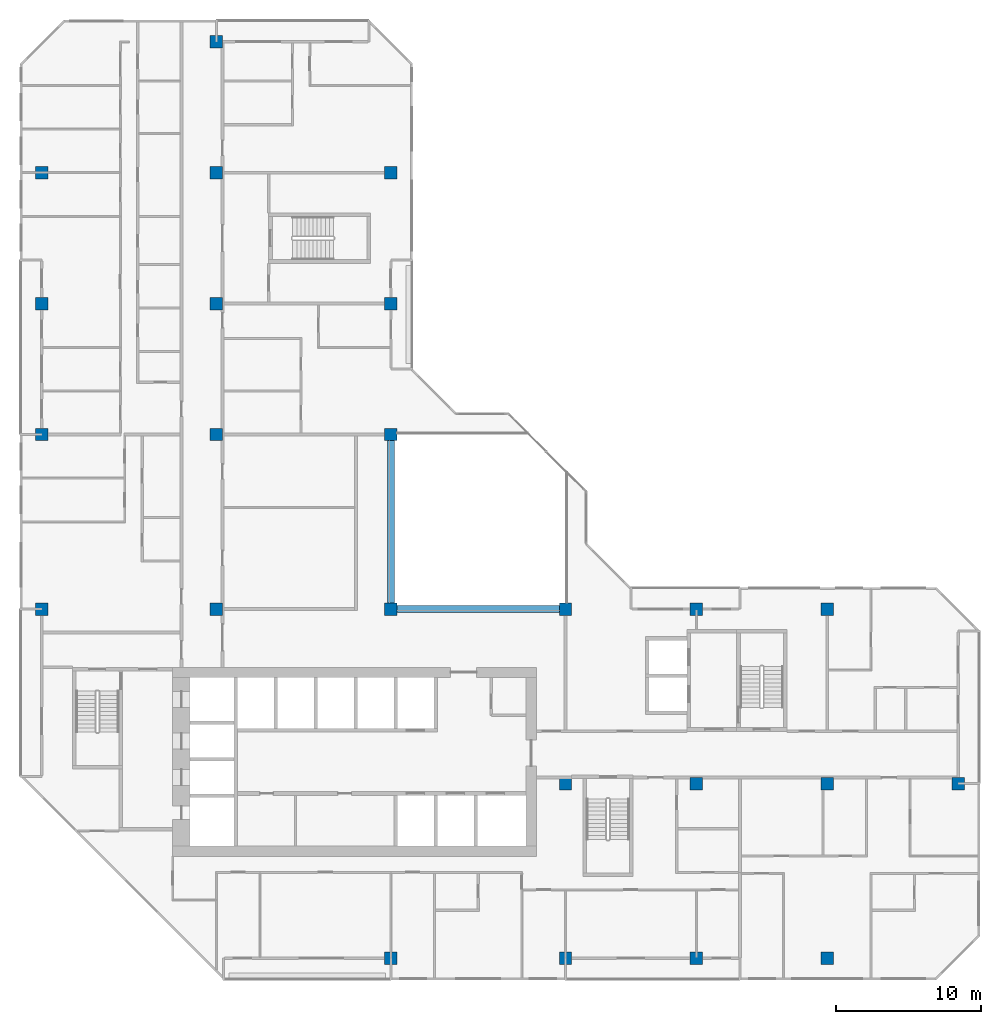
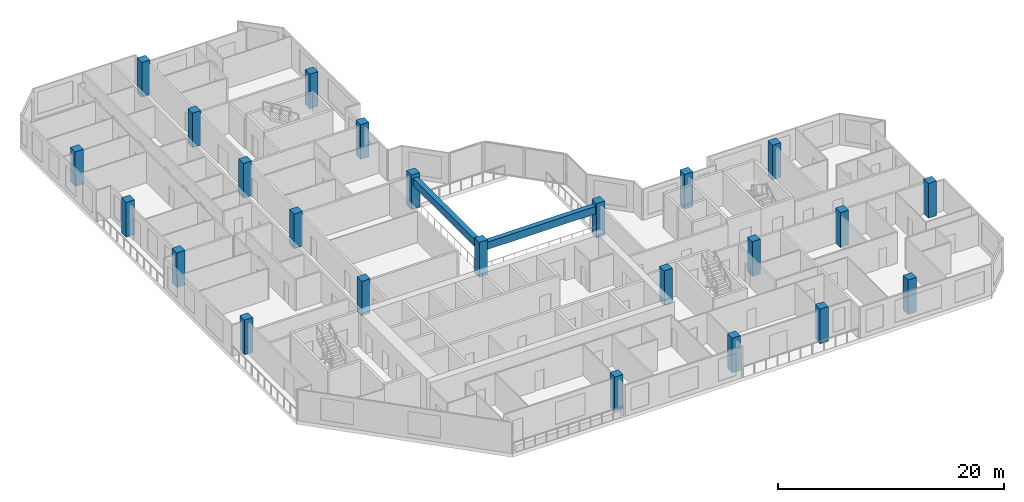
# One storey, part 1 of 15: 24 columns, 2 beams.
"""IFC4 building model written with IfcOpenShell, lengths in metres."""

from ifc_helpers import new_model, si_unit, direction, frame, origin, origin_2d, place, context, subcontext, project, spatial, rectangle, extrude, material, material_profile, profile_set, type_object, element, save


model = new_model("IFC4")

# Units and contexts
model_context = context("Model", 3, precision=1e-05, world=origin(), true_north=direction((0.0, 1.0)))
body_context = subcontext(model_context, "Body", "Model", "MODEL_VIEW")
ifc_project = project(units=[si_unit("LENGTHUNIT", "METRE"), si_unit("AREAUNIT", "SQUARE_METRE"), si_unit("VOLUMEUNIT", "CUBIC_METRE"), si_unit("PLANEANGLEUNIT", "RADIAN"), si_unit("MASSUNIT", "GRAM", prefix="KILO")], contexts=[model_context])

# Site, building, storey
site_placement = place(None, origin())
site = spatial("IfcSite", under=ifc_project, at=site_placement, CompositionType="ELEMENT")
building_placement = place(site_placement, origin())
building = spatial("IfcBuilding", under=site, at=building_placement, Name="Chenar Terraces", CompositionType="ELEMENT")
storey_placement = place(building_placement, frame((0.0, 0.0, 215.39990234375)))
storey = spatial("IfcBuildingStorey", under=building, at=storey_placement, Name="L50", CompositionType="ELEMENT", Elevation=215.39990234375)

# Columns
ifc_material_1 = material(Name="Concrete C60/75", Category="concrete")
ifc_material_profile_1 = material_profile(ifc_material_1, rectangle(XDim=0.85009765625, YDim=0.85009765625, at=origin_2d()), Name="C 850 x 850")
ifc_profile_set_1 = profile_set([ifc_material_profile_1], Name="Concrete C60/75")
column_type = type_object("IfcColumnType", Name="Column C 850 x 850 Concrete C60/75", PredefinedType="COLUMN", material=ifc_profile_set_1)
column_1_placement = place(storey_placement, frame((0.0, 24.0, 0.0), z_axis=(0.0, 0.0, 1.0), x_axis=(1.0, 0.0, 0.0)))
element("IfcColumn", 1, at=column_1_placement, inside=storey, type_object=column_type, Name="Column 5/G L50", PredefinedType="COLUMN", context=body_context, shape_type="SweptSolid", body=[
    extrude(rectangle(XDim=0.85009765625, YDim=0.85009765625, at=origin_2d()), origin(), (0.0, 0.0, 1.0), 3.75),
])
column_2_placement = place(storey_placement, frame((0.0, 36.0, 0.0), z_axis=(0.0, 0.0, 1.0), x_axis=(1.0, 0.0, 0.0)))
element("IfcColumn", 2, at=column_2_placement, inside=storey, type_object=column_type, Name="Column 5/H L50", PredefinedType="COLUMN", context=body_context, shape_type="SweptSolid", body=[
    extrude(rectangle(XDim=0.85009765625, YDim=0.85009765625, at=origin_2d()), origin(), (0.0, 0.0, 1.0), 3.75),
])
for number, where, z_axis, x_axis, name in (
    (3, (0.0, 45.0, 0.0), (0.0, 0.0, 1.0), (1.0, 0.0, 0.0), "Column 5/J L50"),
    (4, (0.0, 54.0, 0.0), (0.0, 0.0, 1.0), (1.0, 0.0, 0.0), "Column 5/K L50"),
    (5, (12.0, 24.0, 0.0), (0.0, 0.0, 1.0), (1.0, 0.0, 0.0), "Column 6/G L50"),
    (6, (12.0, 36.0, 0.0), (0.0, 0.0, 1.0), (1.0, 0.0, 0.0), "Column 6/H L50"),
    (7, (12.0, 45.0, 0.0), (0.0, 0.0, 1.0), (1.0, 0.0, 0.0), "Column 6/J L50"),
    (8, (12.0, 54.0, 0.0), (0.0, 0.0, 1.0), (1.0, 0.0, 0.0), "Column 6/K L50"),
    (9, (12.0, 63.0, 0.0), (0.0, 0.0, 1.0), (1.0, 0.0, 0.0), "Column 6/L L50"),
    (10, (24.0, 0.0, 0.0), (0.0, 0.0, 1.0), (1.0, 0.0, 0.0), "Column 7/E L50"),
    (11, (24.0, 24.0, 0.0), (0.0, 0.0, 1.0), (1.0, 0.0, 0.0), "Column 7/G L50"),
    (12, (24.0, 36.0, 0.0), (0.0, 0.0, 1.0), (1.0, 0.0, 0.0), "Column 7/H L50"),
    (13, (24.0, 45.0, 0.0), (0.0, 0.0, 1.0), (1.0, 0.0, 0.0), "Column 7/J L50"),
    (14, (24.0, 54.0, 0.0), (0.0, 0.0, 1.0), (1.0, 0.0, 0.0), "Column 7/K L50"),
    (15, (36.0, 0.0, 0.0), (0.0, 0.0, 1.0), (1.0, 0.0, 0.0), "Column 8/E L50"),
    (16, (36.0, 12.0, 0.0), (0.0, 0.0, 1.0), (1.0, 0.0, 0.0), "Column 8/F L50"),
    (17, (36.0, 24.0, 0.0), (0.0, 0.0, 1.0), (1.0, 0.0, 0.0), "Column 8/G L50"),
    (18, (45.0, 0.0, 0.0), (0.0, 0.0, 1.0), (1.0, 0.0, 0.0), "Column 9/E L50"),
    (19, (45.0, 12.0, 0.0), (0.0, 0.0, 1.0), (1.0, 0.0, 0.0), "Column 9/F L50"),
    (20, (45.0, 24.0, 0.0), (0.0, 0.0, 1.0), (1.0, 0.0, 0.0), "Column 9/G L50"),
    (21, (54.0, 0.0, 0.0), (0.0, 0.0, 1.0), (1.0, 0.0, 0.0), "Column 10/E L50"),
    (22, (54.0, 12.0, 0.0), (0.0, 0.0, 1.0), (1.0, 0.0, 0.0), "Column 10/F L50"),
    (23, (54.0, 24.0, 0.0), (0.0, 0.0, 1.0), (1.0, 0.0, 0.0), "Column 10/G L50"),
    (24, (63.0, 12.0, 0.0), (0.0, 0.0, 1.0), (1.0, 0.0, 0.0), "Column 11/F L50"),
):
    element("IfcColumn", number, at=place(storey_placement, frame(where, z_axis=z_axis, x_axis=x_axis)), inside=storey, type_object=column_type, Name=name, PredefinedType="COLUMN", context=body_context, shape_type="SweptSolid", body=[
        extrude(rectangle(XDim=0.85009765625, YDim=0.85009765625, at=origin_2d()), origin(), (0.0, 0.0, 1.0), 3.75),
    ])

# Beams
ifc_material_2 = material(Name="Concrete C40/50", Category="concrete")
ifc_material_profile_2 = material_profile(ifc_material_2, rectangle(XDim=0.5, YDim=0.800048828125, at=origin_2d()), Name="RC 500 x 800")
ifc_profile_set_2 = profile_set([ifc_material_profile_2], Name="Concrete C40/50")
beam_type = type_object("IfcBeamType", Name="Atrium edge beam 500 x 800 Concrete C40/50", PredefinedType="BEAM", material=ifc_profile_set_2)
for number, where, z_axis, x_axis, name in (
    (25, (24.425048828125, 24.0, 2.9501953125), (1.0, 0.0, 0.0), (0.0, 1.0, 0.0), "Atrium edge beam L51 1"),
    (26, (24.0, 35.574951171875, 2.9501953125), (0.0, -1.0, 0.0), (1.0, 0.0, 0.0), "Atrium edge beam L51 4"),
):
    element("IfcBeam", number, at=place(storey_placement, frame(where, z_axis=z_axis, x_axis=x_axis)), inside=storey, type_object=beam_type, Name=name, PredefinedType="BEAM", context=body_context, shape_type="SweptSolid", body=[
        extrude(rectangle(XDim=0.5, YDim=0.800048828125, at=origin_2d()), origin(), (0.0, 0.0, 1.0), 11.14990234375),
    ])

save(model, "model.ifc")
